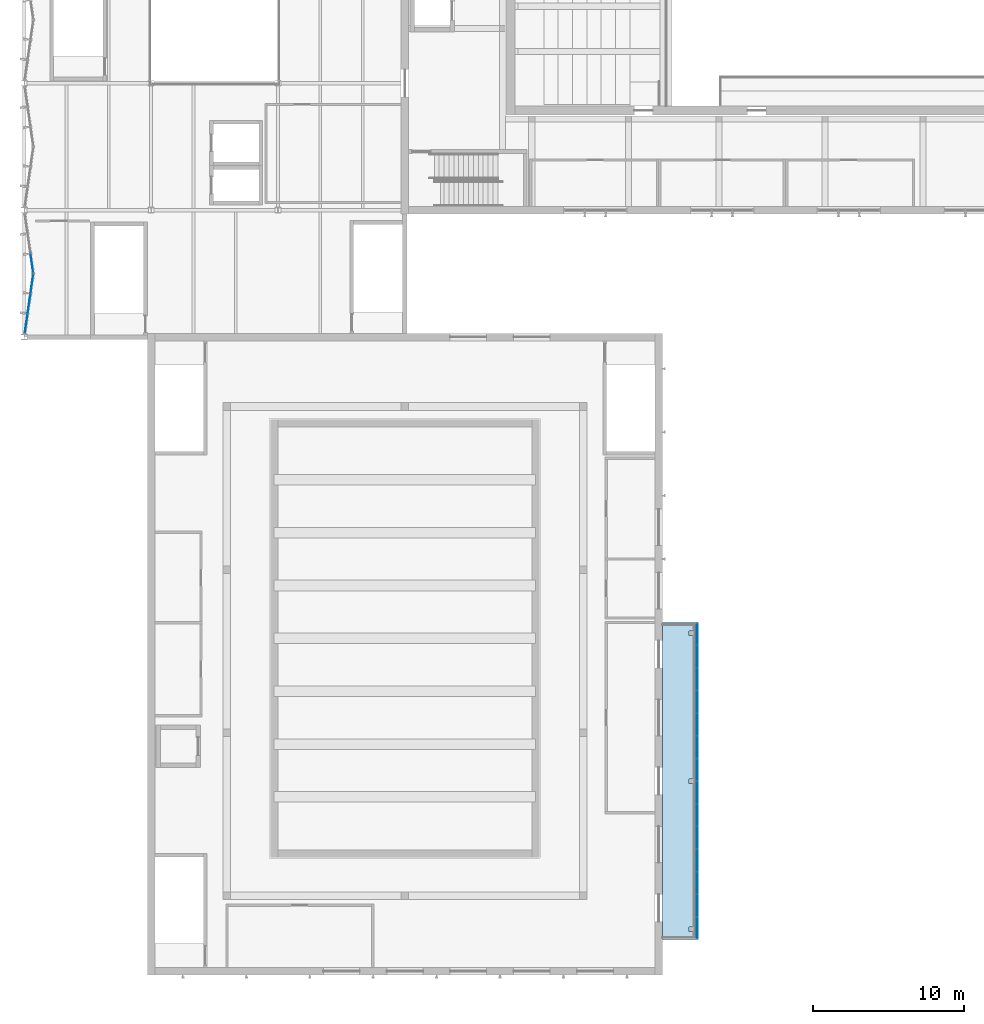
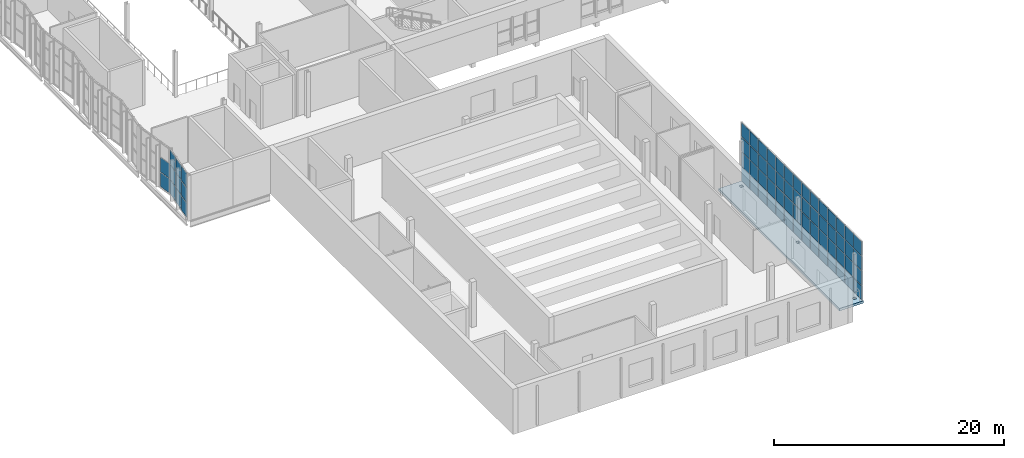
# One storey, part 56 of 116: 67 plates, 1 slab, 3 elements without a shape of their own.
"""IFC4 building model written with IfcOpenShell, lengths in metres."""

import ifcopenshell
import ifcopenshell.guid

model = None  # the IFC model being written
_history = None  # IfcOwnerHistory: only IFC2X3 demands one
_inside = {}  # id of a spatial element -> (the spatial element, [elements in it])
_under = {}  # id of a project, library or spatial element -> (it, [spatial elements below it])
_declared = {}  # id of a project -> (the project, [libraries it declares])
_typed = {}  # id of a type object -> (the type object, [elements of that type])
_made_of = {}  # id of a material, layer set ... -> (it, [elements and type objects made of it])


def new_model(schema):
    """Start an empty IFC model of exactly this schema.

    Asked for "IFC4X3", IfcOpenShell would pick the latest addendum, in which some entities
    have other attributes; the version numbers below select the first issue.
    IFC2X3 requires an IfcOwnerHistory on every rooted entity: one is made here for all.
    """
    global model, _history
    if schema == "IFC4X3":
        model = ifcopenshell.file(schema_version=(4, 3, 0, 0))
    else:
        model = ifcopenshell.file(schema=schema)
    _inside.clear()
    _under.clear()
    _declared.clear()
    _typed.clear()
    _made_of.clear()
    _history = None
    if model.schema == "IFC2X3":
        org = make("IfcOrganization", Name="unknown")
        user = make(
            "IfcPersonAndOrganization",
            ThePerson=make("IfcPerson", FamilyName="unknown"),
            TheOrganization=org,
        )
        app = make(
            "IfcApplication",
            ApplicationDeveloper=org,
            Version="unknown",
            ApplicationFullName="unknown",
            ApplicationIdentifier="unknown",
        )
        _history = make(
            "IfcOwnerHistory",
            OwningUser=user,
            OwningApplication=app,
            ChangeAction="ADDED",
            CreationDate=0,
        )
    return model


def make(cls, **values):
    """One entity of the class cls with the attributes given. An attribute that is None is left unset."""
    return model.create_entity(
        cls, **{name: value for name, value in values.items() if value is not None}
    )


def rooted(cls, **values):
    """An entity with a GlobalId (a new one), such as an element, a storey or a relation."""
    return make(cls, GlobalId=ifcopenshell.guid.new(), OwnerHistory=_history, **values)


def si_unit(unit_type, name, prefix=None):
    """IfcSIUnit, for example si_unit("LENGTHUNIT", "METRE", prefix="MILLI")."""
    return make("IfcSIUnit", UnitType=unit_type, Prefix=prefix, Name=name)


def assignment(units):
    """IfcUnitAssignment: the units of a project."""
    return None if units is None else make("IfcUnitAssignment", Units=units)


def point(xyz):
    """IfcCartesianPoint."""
    return None if xyz is None else make("IfcCartesianPoint", Coordinates=xyz)


def direction(xyz):
    """IfcDirection."""
    return None if xyz is None else make("IfcDirection", DirectionRatios=xyz)


def frame(location, z_axis=None, x_axis=None):
    """IfcAxis2Placement3D, a coordinate frame: its origin and axes. An axis left out is left unset."""
    return make(
        "IfcAxis2Placement3D",
        Location=point(location),
        Axis=direction(z_axis),
        RefDirection=direction(x_axis),
    )


def frame_2d(location, x_axis=None):
    """IfcAxis2Placement2D, a coordinate frame in the plane: its origin and x axis."""
    return make(
        "IfcAxis2Placement2D", Location=point(location), RefDirection=direction(x_axis)
    )


def origin():
    """The frame at (0, 0, 0) with its axes left unset."""
    return frame((0.0, 0.0, 0.0))


def origin_2d():
    """The frame at (0, 0) in the plane with its x axis left unset."""
    return frame_2d((0.0, 0.0))


def place(relative_to, where):
    """IfcLocalPlacement: puts the frame where relative to a parent placement (None: the world)."""
    return make(
        "IfcLocalPlacement", PlacementRelTo=relative_to, RelativePlacement=where
    )


def context(
    kind, dimensions, precision=None, world=None, true_north=None, identifier=None
):
    """IfcGeometricRepresentationContext, for example the 3D "Model" context."""
    return make(
        "IfcGeometricRepresentationContext",
        ContextIdentifier=identifier,
        ContextType=kind,
        CoordinateSpaceDimension=dimensions,
        Precision=precision,
        WorldCoordinateSystem=world,
        TrueNorth=true_north,
    )


def subcontext(parent, identifier, kind, view, scale=None):
    """IfcGeometricRepresentationSubContext, for example "Body" below "Model"."""
    return make(
        "IfcGeometricRepresentationSubContext",
        ContextIdentifier=identifier,
        ContextType=kind,
        ParentContext=parent,
        TargetScale=scale,
        TargetView=view,
    )


def project(units=None, contexts=None):
    """IfcProject with its units and contexts."""
    return rooted(
        "IfcProject",
        Name="project",
        RepresentationContexts=contexts,
        UnitsInContext=assignment(units),
    )


def spatial(cls, under=None, at=None, **own):
    """A site, building, storey or space (cls), placed at a placement, below another one or the project."""
    s = rooted(cls, ObjectPlacement=at, **own)
    if under is not None:
        _under.setdefault(under.id(), (under, []))[1].append(s)
    return s


def polyline(points):
    """IfcPolyline through the points."""
    return make("IfcPolyline", Points=[point(p) for p in points])


def profile(cls, at=None, kind="AREA", **sizes):
    """A parametric profile (cls). Its sizes go by their IFC names, for example OverallWidth=200.0."""
    return make(cls, ProfileType=kind, Position=at, **sizes)


def rectangle(**sizes):
    """IfcRectangleProfileDef."""
    return profile("IfcRectangleProfileDef", **sizes)


def outline(outer, holes=None, kind="AREA"):
    """IfcArbitraryClosedProfileDef: a profile drawn as a closed curve; with holes, ...WithVoids."""
    if holes is None:
        return make("IfcArbitraryClosedProfileDef", ProfileType=kind, OuterCurve=outer)
    return make(
        "IfcArbitraryProfileDefWithVoids",
        ProfileType=kind,
        OuterCurve=outer,
        InnerCurves=holes,
    )


def extrude(swept, where, along, depth):
    """IfcExtrudedAreaSolid: the profile swept, set in the frame where, extruded along a direction by depth."""
    return make(
        "IfcExtrudedAreaSolid",
        SweptArea=swept,
        Position=where,
        ExtrudedDirection=direction(along),
        Depth=depth,
    )


def shape(context_of_items, identifier, shape_type, items):
    """IfcShapeRepresentation: the items that make up one representation, for example the "Body"."""
    return make(
        "IfcShapeRepresentation",
        ContextOfItems=context_of_items,
        RepresentationIdentifier=identifier,
        RepresentationType=shape_type,
        Items=items,
    )


def material(Name=None, Category=None):
    """IfcMaterial."""
    return make("IfcMaterial", Name=Name, Category=Category)


def layer(
    of_material, thickness, ventilated=None, Name=None, Category=None, Priority=None
):
    """IfcMaterialLayer: one layer of a wall or slab, of a material (None: an air gap)."""
    return make(
        "IfcMaterialLayer",
        Material=of_material,
        LayerThickness=thickness,
        IsVentilated=ventilated,
        Name=Name,
        Category=Category,
        Priority=Priority,
    )


def layer_set(layers, Name=None):
    """IfcMaterialLayerSet."""
    return make("IfcMaterialLayerSet", MaterialLayers=layers, LayerSetName=Name)


def made_of(thing, what):
    """Note that an element or type object is made of a material, layer set ...; save() writes the relation."""
    if what is not None:
        _made_of.setdefault(what.id(), (what, []))[1].append(thing)
    return thing


def type_object(cls, material=None, **own):
    """A type object (cls), such as IfcWallType, which elements share."""
    return made_of(rooted(cls, **own), material)


def element(
    cls,
    number,
    at=None,
    inside=None,
    cuts=None,
    type_object=None,
    material=None,
    context=None,
    identifier="Body",
    shape_type=None,
    held_by="IfcProductDefinitionShape",
    body=None,
    shapes=None,
    **own,
):
    """One element of the class cls, such as IfcWall. Its Tag is "e" and its number.

    at: its placement. inside: the storey or other place that contains it. cuts: it is an
    opening in that element (IfcRelVoidsElement). A single representation is given by context,
    identifier, shape_type and body (its items); several are given by shapes. held_by: the class
    of the entity that holds the representations. save() writes the other relations.
    """
    e = rooted(cls, Tag="e%d" % number, ObjectPlacement=at, **own)
    if body is not None:
        shapes = [shape(context, identifier, shape_type, body)]
    if shapes is not None:
        e.Representation = make(held_by, Representations=shapes)
    if inside is not None:
        _inside.setdefault(inside.id(), (inside, []))[1].append(e)
    if cuts is not None:
        rooted(
            "IfcRelVoidsElement", RelatingBuildingElement=cuts, RelatedOpeningElement=e
        )
    if type_object is not None:
        _typed.setdefault(type_object.id(), (type_object, []))[1].append(e)
    return made_of(e, material)


def aggregate(whole, parts):
    """IfcRelAggregates: a whole, such as a stair, and the parts it consists of."""
    return rooted("IfcRelAggregates", RelatingObject=whole, RelatedObjects=parts)


def save(model, path):
    """Write the relations noted so far, then the file.

    IfcRelAggregates (storeys below a building ...), IfcRelContainedInSpatialStructure (elements
    in a storey), IfcRelDefinesByType, IfcRelAssociatesMaterial and IfcRelDeclares: one each for
    every whole, place, type object, material and project.
    """
    for whole, parts in _under.values():
        aggregate(whole, parts)
    for where, things in _inside.values():
        rooted(
            "IfcRelContainedInSpatialStructure",
            RelatedElements=things,
            RelatingStructure=where,
        )
    for kind, things in _typed.values():
        rooted("IfcRelDefinesByType", RelatedObjects=things, RelatingType=kind)
    for what, things in _made_of.values():
        rooted("IfcRelAssociatesMaterial", RelatedObjects=things, RelatingMaterial=what)
    for by, libraries in _declared.values():
        rooted("IfcRelDeclares", RelatingContext=by, RelatedDefinitions=libraries)
    model.write(path)


model = new_model("IFC4")

# Units and contexts
model_context = context("Model", 3, precision=1e-05, world=origin(), true_north=direction((0.0, 1.0)))
body_context = subcontext(model_context, "Body", "Model", "MODEL_VIEW")
ifc_project = project(units=[si_unit("LENGTHUNIT", "METRE"), si_unit("AREAUNIT", "SQUARE_METRE"), si_unit("VOLUMEUNIT", "CUBIC_METRE"), si_unit("PLANEANGLEUNIT", "RADIAN"), si_unit("MASSUNIT", "GRAM", prefix="KILO")], contexts=[model_context])

# Site, building, storey
site_placement = place(None, origin())
site = spatial("IfcSite", under=ifc_project, at=site_placement, CompositionType="ELEMENT")
building_placement = place(site_placement, origin())
building = spatial("IfcBuilding", under=site, at=building_placement, Name="Ljudholm Concert House", CompositionType="ELEMENT")
storey_placement = place(building_placement, frame((0.0, 0.0, 10.199951171875)))
storey = spatial("IfcBuildingStorey", under=building, at=storey_placement, Name="L02", CompositionType="ELEMENT", Elevation=10.199951171875)

# Curtain wall, plates
ifc_material_1 = material(Name="Aluminium curtain wall with impact-rated laminated glass", Category="aluminium")
curtain_wall_type_1 = type_object("IfcCurtainWallType", Name="CURTAIN WALL 1400", PredefinedType="NOTDEFINED", material=ifc_material_1)
curtain_wall_1_placement = place(storey_placement, origin())
curtain_wall_1 = element("IfcCurtainWall", 1, at=curtain_wall_1_placement, inside=storey, type_object=curtain_wall_type_1, Name="Facade curtain wall", PredefinedType="NOTDEFINED")
ifc_material_2 = material(Name="Impact-rated laminated glass", Category="glass")
ifc_layer_1 = layer(ifc_material_2, 0.028076171875)
ifc_layer_set_1 = layer_set([ifc_layer_1], Name="Impact-rated laminated glass")
plate_type_1 = type_object("IfcPlateType", Name="CURTAIN PANEL 28", PredefinedType="CURTAIN_PANEL", material=ifc_layer_set_1)
plate_1_placement = place(storey_placement, frame((4.1279296875, 46.896240234375, 0.06005859375), z_axis=(0.0, 0.0, 1.0), x_axis=(0.141421356338, 0.989949493647, 0.0)))
plate_1 = element("IfcPlate", 2, at=plate_1_placement, type_object=plate_type_1, Name="Curtain wall panel", PredefinedType="CURTAIN_PANEL", context=body_context, shape_type="SweptSolid", body=[
    extrude(rectangle(XDim=1.2509765625, YDim=0.028076171875, at=origin_2d()), origin(), (0.0, 0.0, 1.0), 1.510009765625),
])
plate_2_placement = place(storey_placement, frame((4.1279296875, 46.896240234375, 1.630126953125), z_axis=(0.0, 0.0, 1.0), x_axis=(0.141421356338, 0.989949493647, 0.0)))
plate_2 = element("IfcPlate", 3, at=plate_2_placement, type_object=plate_type_1, Name="Curtain wall panel", PredefinedType="CURTAIN_PANEL", context=body_context, shape_type="SweptSolid", body=[
    extrude(rectangle(XDim=1.2509765625, YDim=0.028076171875, at=origin_2d()), origin(), (0.0, 0.0, 1.0), 1.5400390625),
])
plate_3_placement = place(storey_placement, frame((4.1279296875, 46.896240234375, 3.22998046875), z_axis=(0.0, 0.0, 1.0), x_axis=(0.141421356338, 0.989949493647, 0.0)))
plate_3 = element("IfcPlate", 4, at=plate_3_placement, type_object=plate_type_1, Name="Curtain wall panel", PredefinedType="CURTAIN_PANEL", context=body_context, shape_type="SweptSolid", body=[
    extrude(rectangle(XDim=1.2509765625, YDim=0.028076171875, at=origin_2d()), origin(), (0.0, 0.0, 1.0), 1.510009765625),
])
plate_4_placement = place(storey_placement, frame((4.315673828125, 48.208984375, 0.06005859375), z_axis=(0.0, 0.0, 1.0), x_axis=(0.141421356338, 0.989949493647, 0.0)))
plate_4 = element("IfcPlate", 5, at=plate_4_placement, type_object=plate_type_1, Name="Curtain wall panel", PredefinedType="CURTAIN_PANEL", context=body_context, shape_type="SweptSolid", body=[
    extrude(rectangle(XDim=1.28076171875, YDim=0.028076171875, at=origin_2d()), origin(), (0.0, 0.0, 1.0), 1.510009765625),
])
plate_5_placement = place(storey_placement, frame((4.315673828125, 48.208984375, 1.630126953125), z_axis=(0.0, 0.0, 1.0), x_axis=(0.141421356338, 0.989949493647, 0.0)))
plate_5 = element("IfcPlate", 6, at=plate_5_placement, type_object=plate_type_1, Name="Curtain wall panel", PredefinedType="CURTAIN_PANEL", context=body_context, shape_type="SweptSolid", body=[
    extrude(rectangle(XDim=1.28076171875, YDim=0.028076171875, at=origin_2d()), origin(), (0.0, 0.0, 1.0), 1.5400390625),
])
plate_6_placement = place(storey_placement, frame((4.315673828125, 48.208984375, 3.22998046875), z_axis=(0.0, 0.0, 1.0), x_axis=(0.141421356338, 0.989949493647, 0.0)))
plate_6 = element("IfcPlate", 7, at=plate_6_placement, type_object=plate_type_1, Name="Curtain wall panel", PredefinedType="CURTAIN_PANEL", context=body_context, shape_type="SweptSolid", body=[
    extrude(rectangle(XDim=1.28076171875, YDim=0.028076171875, at=origin_2d()), origin(), (0.0, 0.0, 1.0), 1.510009765625),
])
plate_7_placement = place(storey_placement, frame((4.503173828125, 49.521484375, 0.06005859375), z_axis=(0.0, 0.0, 1.0), x_axis=(0.141421356338, 0.989949493647, 0.0)))
plate_7 = element("IfcPlate", 8, at=plate_7_placement, type_object=plate_type_1, Name="Curtain wall panel", PredefinedType="CURTAIN_PANEL", context=body_context, shape_type="SweptSolid", body=[
    extrude(rectangle(XDim=1.2509765625, YDim=0.028076171875, at=origin_2d()), origin(), (0.0, 0.0, 1.0), 1.510009765625),
])
plate_8_placement = place(storey_placement, frame((4.503173828125, 49.521484375, 1.630126953125), z_axis=(0.0, 0.0, 1.0), x_axis=(0.141421356338, 0.989949493647, 0.0)))
plate_8 = element("IfcPlate", 9, at=plate_8_placement, type_object=plate_type_1, Name="Curtain wall panel", PredefinedType="CURTAIN_PANEL", context=body_context, shape_type="SweptSolid", body=[
    extrude(rectangle(XDim=1.2509765625, YDim=0.028076171875, at=origin_2d()), origin(), (0.0, 0.0, 1.0), 1.5400390625),
])
plate_9_placement = place(storey_placement, frame((4.503173828125, 49.521484375, 3.22998046875), z_axis=(0.0, 0.0, 1.0), x_axis=(0.141421356338, 0.989949493647, 0.0)))
plate_9 = element("IfcPlate", 10, at=plate_9_placement, type_object=plate_type_1, Name="Curtain wall panel", PredefinedType="CURTAIN_PANEL", context=body_context, shape_type="SweptSolid", body=[
    extrude(rectangle(XDim=1.2509765625, YDim=0.028076171875, at=origin_2d()), origin(), (0.0, 0.0, 1.0), 1.510009765625),
])
aggregate(curtain_wall_1, [plate_1, plate_2, plate_3, plate_4, plate_5, plate_6, plate_7, plate_8, plate_9])

curtain_wall_2_placement = place(storey_placement, origin())
curtain_wall_2 = element("IfcCurtainWall", 11, at=curtain_wall_2_placement, inside=storey, type_object=curtain_wall_type_1, Name="Facade curtain wall", PredefinedType="NOTDEFINED")
plate_10_placement = place(storey_placement, frame((4.503173828125, 50.878662109375, 0.06005859375), z_axis=(0.0, 0.0, 1.0), x_axis=(-0.141421356338, 0.989949493647, 0.0)))
plate_10 = element("IfcPlate", 12, at=plate_10_placement, type_object=plate_type_1, Name="Curtain wall panel", PredefinedType="CURTAIN_PANEL", context=body_context, shape_type="SweptSolid", body=[
    extrude(rectangle(XDim=1.2509765625, YDim=0.028076171875, at=origin_2d()), origin(), (0.0, 0.0, 1.0), 1.510009765625),
])
plate_11_placement = place(storey_placement, frame((4.503173828125, 50.878662109375, 1.630126953125), z_axis=(0.0, 0.0, 1.0), x_axis=(-0.141421356338, 0.989949493647, 0.0)))
plate_11 = element("IfcPlate", 13, at=plate_11_placement, type_object=plate_type_1, Name="Curtain wall panel", PredefinedType="CURTAIN_PANEL", context=body_context, shape_type="SweptSolid", body=[
    extrude(rectangle(XDim=1.2509765625, YDim=0.028076171875, at=origin_2d()), origin(), (0.0, 0.0, 1.0), 1.5400390625),
])
aggregate(curtain_wall_2, [plate_10, plate_11])

ifc_material_3 = material(Name="Aluminium curtain wall with fixed aluminium storm louvre blades, timber-grain pvdf finish", Category="aluminium")
curtain_wall_type_2 = type_object("IfcCurtainWallType", Name="CURTAIN WALL 1500", PredefinedType="NOTDEFINED", material=ifc_material_3)
curtain_wall_3_placement = place(storey_placement, origin())
curtain_wall_3 = element("IfcCurtainWall", 14, at=curtain_wall_3_placement, inside=storey, type_object=curtain_wall_type_2, Name="Storm louvre screen", PredefinedType="NOTDEFINED")
ifc_material_4 = material(Name="Fixed aluminium storm louvre blades, timber-grain PVDF finish", Category="aluminium")
ifc_layer_2 = layer(ifc_material_4, 0.06005859375)
ifc_layer_set_2 = layer_set([ifc_layer_2], Name="Fixed aluminium storm louvre blades, timber-grain PVDF finish")
plate_type_2 = type_object("IfcPlateType", Name="CURTAIN PANEL 60", PredefinedType="CURTAIN_PANEL", material=ifc_layer_set_2)
plate_12_placement = place(storey_placement, frame((48.550048828125, 6.8701171875, 0.080078125), z_axis=(0.0, 0.0, 1.0), x_axis=(0.0, 1.0, 0.0)))
plate_12 = element("IfcPlate", 15, at=plate_12_placement, type_object=plate_type_2, Name="Curtain wall panel", PredefinedType="CURTAIN_PANEL", context=body_context, shape_type="SweptSolid", body=[
    extrude(rectangle(XDim=1.3798828125, YDim=0.06005859375, at=origin_2d()), origin(), (0.0, 0.0, 1.0), 1.454833984375),
])
plate_13_placement = place(storey_placement, frame((48.550048828125, 6.8701171875, 1.61474609375), z_axis=(0.0, 0.0, 1.0), x_axis=(0.0, 1.0, 0.0)))
plate_13 = element("IfcPlate", 16, at=plate_13_placement, type_object=plate_type_2, Name="Curtain wall panel", PredefinedType="CURTAIN_PANEL", context=body_context, shape_type="SweptSolid", body=[
    extrude(rectangle(XDim=1.3798828125, YDim=0.06005859375, at=origin_2d()), origin(), (0.0, 0.0, 1.0), 1.494873046875),
])
plate_14_placement = place(storey_placement, frame((48.550048828125, 6.8701171875, 3.189453125), z_axis=(0.0, 0.0, 1.0), x_axis=(0.0, 1.0, 0.0)))
plate_14 = element("IfcPlate", 17, at=plate_14_placement, type_object=plate_type_2, Name="Curtain wall panel", PredefinedType="CURTAIN_PANEL", context=body_context, shape_type="SweptSolid", body=[
    extrude(rectangle(XDim=1.3798828125, YDim=0.06005859375, at=origin_2d()), origin(), (0.0, 0.0, 1.0), 1.494873046875),
])
plate_15_placement = place(storey_placement, frame((48.550048828125, 6.8701171875, 4.7646484375), z_axis=(0.0, 0.0, 1.0), x_axis=(0.0, 1.0, 0.0)))
plate_15 = element("IfcPlate", 18, at=plate_15_placement, type_object=plate_type_2, Name="Curtain wall panel", PredefinedType="CURTAIN_PANEL", context=body_context, shape_type="SweptSolid", body=[
    extrude(rectangle(XDim=1.3798828125, YDim=0.06005859375, at=origin_2d()), origin(), (0.0, 0.0, 1.0), 1.454833984375),
])
plate_16_placement = place(storey_placement, frame((48.550048828125, 8.35009765625, 0.080078125), z_axis=(0.0, 0.0, 1.0), x_axis=(0.0, 1.0, 0.0)))
plate_16 = element("IfcPlate", 19, at=plate_16_placement, type_object=plate_type_2, Name="Curtain wall panel", PredefinedType="CURTAIN_PANEL", context=body_context, shape_type="SweptSolid", body=[
    extrude(rectangle(XDim=1.419921875, YDim=0.06005859375, at=origin_2d()), origin(), (0.0, 0.0, 1.0), 1.454833984375),
])
plate_17_placement = place(storey_placement, frame((48.550048828125, 8.35009765625, 1.61474609375), z_axis=(0.0, 0.0, 1.0), x_axis=(0.0, 1.0, 0.0)))
plate_17 = element("IfcPlate", 20, at=plate_17_placement, type_object=plate_type_2, Name="Curtain wall panel", PredefinedType="CURTAIN_PANEL", context=body_context, shape_type="SweptSolid", body=[
    extrude(rectangle(XDim=1.419921875, YDim=0.06005859375, at=origin_2d()), origin(), (0.0, 0.0, 1.0), 1.494873046875),
])
plate_18_placement = place(storey_placement, frame((48.550048828125, 8.35009765625, 3.189453125), z_axis=(0.0, 0.0, 1.0), x_axis=(0.0, 1.0, 0.0)))
plate_18 = element("IfcPlate", 21, at=plate_18_placement, type_object=plate_type_2, Name="Curtain wall panel", PredefinedType="CURTAIN_PANEL", context=body_context, shape_type="SweptSolid", body=[
    extrude(rectangle(XDim=1.419921875, YDim=0.06005859375, at=origin_2d()), origin(), (0.0, 0.0, 1.0), 1.494873046875),
])
plate_19_placement = place(storey_placement, frame((48.550048828125, 8.35009765625, 4.7646484375), z_axis=(0.0, 0.0, 1.0), x_axis=(0.0, 1.0, 0.0)))
plate_19 = element("IfcPlate", 22, at=plate_19_placement, type_object=plate_type_2, Name="Curtain wall panel", PredefinedType="CURTAIN_PANEL", context=body_context, shape_type="SweptSolid", body=[
    extrude(rectangle(XDim=1.419921875, YDim=0.06005859375, at=origin_2d()), origin(), (0.0, 0.0, 1.0), 1.454833984375),
])
plate_20_placement = place(storey_placement, frame((48.550048828125, 9.85009765625, 0.080078125), z_axis=(0.0, 0.0, 1.0), x_axis=(0.0, 1.0, 0.0)))
plate_20 = element("IfcPlate", 23, at=plate_20_placement, type_object=plate_type_2, Name="Curtain wall panel", PredefinedType="CURTAIN_PANEL", context=body_context, shape_type="SweptSolid", body=[
    extrude(rectangle(XDim=1.419921875, YDim=0.06005859375, at=origin_2d()), origin(), (0.0, 0.0, 1.0), 1.454833984375),
])
plate_21_placement = place(storey_placement, frame((48.550048828125, 9.85009765625, 1.61474609375), z_axis=(0.0, 0.0, 1.0), x_axis=(0.0, 1.0, 0.0)))
plate_21 = element("IfcPlate", 24, at=plate_21_placement, type_object=plate_type_2, Name="Curtain wall panel", PredefinedType="CURTAIN_PANEL", context=body_context, shape_type="SweptSolid", body=[
    extrude(rectangle(XDim=1.419921875, YDim=0.06005859375, at=origin_2d()), origin(), (0.0, 0.0, 1.0), 1.494873046875),
])
plate_22_placement = place(storey_placement, frame((48.550048828125, 9.85009765625, 3.189453125), z_axis=(0.0, 0.0, 1.0), x_axis=(0.0, 1.0, 0.0)))
plate_22 = element("IfcPlate", 25, at=plate_22_placement, type_object=plate_type_2, Name="Curtain wall panel", PredefinedType="CURTAIN_PANEL", context=body_context, shape_type="SweptSolid", body=[
    extrude(rectangle(XDim=1.419921875, YDim=0.06005859375, at=origin_2d()), origin(), (0.0, 0.0, 1.0), 1.494873046875),
])
plate_23_placement = place(storey_placement, frame((48.550048828125, 9.85009765625, 4.7646484375), z_axis=(0.0, 0.0, 1.0), x_axis=(0.0, 1.0, 0.0)))
plate_23 = element("IfcPlate", 26, at=plate_23_placement, type_object=plate_type_2, Name="Curtain wall panel", PredefinedType="CURTAIN_PANEL", context=body_context, shape_type="SweptSolid", body=[
    extrude(rectangle(XDim=1.419921875, YDim=0.06005859375, at=origin_2d()), origin(), (0.0, 0.0, 1.0), 1.454833984375),
])
plate_24_placement = place(storey_placement, frame((48.550048828125, 11.35009765625, 0.080078125), z_axis=(0.0, 0.0, 1.0), x_axis=(0.0, 1.0, 0.0)))
plate_24 = element("IfcPlate", 27, at=plate_24_placement, type_object=plate_type_2, Name="Curtain wall panel", PredefinedType="CURTAIN_PANEL", context=body_context, shape_type="SweptSolid", body=[
    extrude(rectangle(XDim=1.419921875, YDim=0.06005859375, at=origin_2d()), origin(), (0.0, 0.0, 1.0), 1.454833984375),
])
plate_25_placement = place(storey_placement, frame((48.550048828125, 11.35009765625, 1.61474609375), z_axis=(0.0, 0.0, 1.0), x_axis=(0.0, 1.0, 0.0)))
plate_25 = element("IfcPlate", 28, at=plate_25_placement, type_object=plate_type_2, Name="Curtain wall panel", PredefinedType="CURTAIN_PANEL", context=body_context, shape_type="SweptSolid", body=[
    extrude(rectangle(XDim=1.419921875, YDim=0.06005859375, at=origin_2d()), origin(), (0.0, 0.0, 1.0), 1.494873046875),
])
plate_26_placement = place(storey_placement, frame((48.550048828125, 11.35009765625, 3.189453125), z_axis=(0.0, 0.0, 1.0), x_axis=(0.0, 1.0, 0.0)))
plate_26 = element("IfcPlate", 29, at=plate_26_placement, type_object=plate_type_2, Name="Curtain wall panel", PredefinedType="CURTAIN_PANEL", context=body_context, shape_type="SweptSolid", body=[
    extrude(rectangle(XDim=1.419921875, YDim=0.06005859375, at=origin_2d()), origin(), (0.0, 0.0, 1.0), 1.494873046875),
])
plate_27_placement = place(storey_placement, frame((48.550048828125, 11.35009765625, 4.7646484375), z_axis=(0.0, 0.0, 1.0), x_axis=(0.0, 1.0, 0.0)))
plate_27 = element("IfcPlate", 30, at=plate_27_placement, type_object=plate_type_2, Name="Curtain wall panel", PredefinedType="CURTAIN_PANEL", context=body_context, shape_type="SweptSolid", body=[
    extrude(rectangle(XDim=1.419921875, YDim=0.06005859375, at=origin_2d()), origin(), (0.0, 0.0, 1.0), 1.454833984375),
])
plate_28_placement = place(storey_placement, frame((48.550048828125, 12.85009765625, 0.080078125), z_axis=(0.0, 0.0, 1.0), x_axis=(0.0, 1.0, 0.0)))
plate_28 = element("IfcPlate", 31, at=plate_28_placement, type_object=plate_type_2, Name="Curtain wall panel", PredefinedType="CURTAIN_PANEL", context=body_context, shape_type="SweptSolid", body=[
    extrude(rectangle(XDim=1.419921875, YDim=0.06005859375, at=origin_2d()), origin(), (0.0, 0.0, 1.0), 1.454833984375),
])
plate_29_placement = place(storey_placement, frame((48.550048828125, 12.85009765625, 1.61474609375), z_axis=(0.0, 0.0, 1.0), x_axis=(0.0, 1.0, 0.0)))
plate_29 = element("IfcPlate", 32, at=plate_29_placement, type_object=plate_type_2, Name="Curtain wall panel", PredefinedType="CURTAIN_PANEL", context=body_context, shape_type="SweptSolid", body=[
    extrude(rectangle(XDim=1.419921875, YDim=0.06005859375, at=origin_2d()), origin(), (0.0, 0.0, 1.0), 1.494873046875),
])
plate_30_placement = place(storey_placement, frame((48.550048828125, 12.85009765625, 3.189453125), z_axis=(0.0, 0.0, 1.0), x_axis=(0.0, 1.0, 0.0)))
plate_30 = element("IfcPlate", 33, at=plate_30_placement, type_object=plate_type_2, Name="Curtain wall panel", PredefinedType="CURTAIN_PANEL", context=body_context, shape_type="SweptSolid", body=[
    extrude(rectangle(XDim=1.419921875, YDim=0.06005859375, at=origin_2d()), origin(), (0.0, 0.0, 1.0), 1.494873046875),
])
plate_31_placement = place(storey_placement, frame((48.550048828125, 12.85009765625, 4.7646484375), z_axis=(0.0, 0.0, 1.0), x_axis=(0.0, 1.0, 0.0)))
plate_31 = element("IfcPlate", 34, at=plate_31_placement, type_object=plate_type_2, Name="Curtain wall panel", PredefinedType="CURTAIN_PANEL", context=body_context, shape_type="SweptSolid", body=[
    extrude(rectangle(XDim=1.419921875, YDim=0.06005859375, at=origin_2d()), origin(), (0.0, 0.0, 1.0), 1.454833984375),
])
plate_32_placement = place(storey_placement, frame((48.550048828125, 14.35009765625, 0.080078125), z_axis=(0.0, 0.0, 1.0), x_axis=(0.0, 1.0, 0.0)))
plate_32 = element("IfcPlate", 35, at=plate_32_placement, type_object=plate_type_2, Name="Curtain wall panel", PredefinedType="CURTAIN_PANEL", context=body_context, shape_type="SweptSolid", body=[
    extrude(rectangle(XDim=1.419921875, YDim=0.06005859375, at=origin_2d()), origin(), (0.0, 0.0, 1.0), 1.454833984375),
])
plate_33_placement = place(storey_placement, frame((48.550048828125, 14.35009765625, 1.61474609375), z_axis=(0.0, 0.0, 1.0), x_axis=(0.0, 1.0, 0.0)))
plate_33 = element("IfcPlate", 36, at=plate_33_placement, type_object=plate_type_2, Name="Curtain wall panel", PredefinedType="CURTAIN_PANEL", context=body_context, shape_type="SweptSolid", body=[
    extrude(rectangle(XDim=1.419921875, YDim=0.06005859375, at=origin_2d()), origin(), (0.0, 0.0, 1.0), 1.494873046875),
])
plate_34_placement = place(storey_placement, frame((48.550048828125, 14.35009765625, 3.189453125), z_axis=(0.0, 0.0, 1.0), x_axis=(0.0, 1.0, 0.0)))
plate_34 = element("IfcPlate", 37, at=plate_34_placement, type_object=plate_type_2, Name="Curtain wall panel", PredefinedType="CURTAIN_PANEL", context=body_context, shape_type="SweptSolid", body=[
    extrude(rectangle(XDim=1.419921875, YDim=0.06005859375, at=origin_2d()), origin(), (0.0, 0.0, 1.0), 1.494873046875),
])
plate_35_placement = place(storey_placement, frame((48.550048828125, 14.35009765625, 4.7646484375), z_axis=(0.0, 0.0, 1.0), x_axis=(0.0, 1.0, 0.0)))
plate_35 = element("IfcPlate", 38, at=plate_35_placement, type_object=plate_type_2, Name="Curtain wall panel", PredefinedType="CURTAIN_PANEL", context=body_context, shape_type="SweptSolid", body=[
    extrude(rectangle(XDim=1.419921875, YDim=0.06005859375, at=origin_2d()), origin(), (0.0, 0.0, 1.0), 1.454833984375),
])
plate_36_placement = place(storey_placement, frame((48.550048828125, 15.85009765625, 0.080078125), z_axis=(0.0, 0.0, 1.0), x_axis=(0.0, 1.0, 0.0)))
plate_36 = element("IfcPlate", 39, at=plate_36_placement, type_object=plate_type_2, Name="Curtain wall panel", PredefinedType="CURTAIN_PANEL", context=body_context, shape_type="SweptSolid", body=[
    extrude(rectangle(XDim=1.419921875, YDim=0.06005859375, at=origin_2d()), origin(), (0.0, 0.0, 1.0), 1.454833984375),
])
plate_37_placement = place(storey_placement, frame((48.550048828125, 15.85009765625, 1.61474609375), z_axis=(0.0, 0.0, 1.0), x_axis=(0.0, 1.0, 0.0)))
plate_37 = element("IfcPlate", 40, at=plate_37_placement, type_object=plate_type_2, Name="Curtain wall panel", PredefinedType="CURTAIN_PANEL", context=body_context, shape_type="SweptSolid", body=[
    extrude(rectangle(XDim=1.419921875, YDim=0.06005859375, at=origin_2d()), origin(), (0.0, 0.0, 1.0), 1.494873046875),
])
plate_38_placement = place(storey_placement, frame((48.550048828125, 15.85009765625, 3.189453125), z_axis=(0.0, 0.0, 1.0), x_axis=(0.0, 1.0, 0.0)))
plate_38 = element("IfcPlate", 41, at=plate_38_placement, type_object=plate_type_2, Name="Curtain wall panel", PredefinedType="CURTAIN_PANEL", context=body_context, shape_type="SweptSolid", body=[
    extrude(rectangle(XDim=1.419921875, YDim=0.06005859375, at=origin_2d()), origin(), (0.0, 0.0, 1.0), 1.494873046875),
])
plate_39_placement = place(storey_placement, frame((48.550048828125, 15.85009765625, 4.7646484375), z_axis=(0.0, 0.0, 1.0), x_axis=(0.0, 1.0, 0.0)))
plate_39 = element("IfcPlate", 42, at=plate_39_placement, type_object=plate_type_2, Name="Curtain wall panel", PredefinedType="CURTAIN_PANEL", context=body_context, shape_type="SweptSolid", body=[
    extrude(rectangle(XDim=1.419921875, YDim=0.06005859375, at=origin_2d()), origin(), (0.0, 0.0, 1.0), 1.454833984375),
])
plate_40_placement = place(storey_placement, frame((48.550048828125, 17.35009765625, 0.080078125), z_axis=(0.0, 0.0, 1.0), x_axis=(0.0, 1.0, 0.0)))
plate_40 = element("IfcPlate", 43, at=plate_40_placement, type_object=plate_type_2, Name="Curtain wall panel", PredefinedType="CURTAIN_PANEL", context=body_context, shape_type="SweptSolid", body=[
    extrude(rectangle(XDim=1.419921875, YDim=0.06005859375, at=origin_2d()), origin(), (0.0, 0.0, 1.0), 1.454833984375),
])
plate_41_placement = place(storey_placement, frame((48.550048828125, 17.35009765625, 1.61474609375), z_axis=(0.0, 0.0, 1.0), x_axis=(0.0, 1.0, 0.0)))
plate_41 = element("IfcPlate", 44, at=plate_41_placement, type_object=plate_type_2, Name="Curtain wall panel", PredefinedType="CURTAIN_PANEL", context=body_context, shape_type="SweptSolid", body=[
    extrude(rectangle(XDim=1.419921875, YDim=0.06005859375, at=origin_2d()), origin(), (0.0, 0.0, 1.0), 1.494873046875),
])
plate_42_placement = place(storey_placement, frame((48.550048828125, 17.35009765625, 3.189453125), z_axis=(0.0, 0.0, 1.0), x_axis=(0.0, 1.0, 0.0)))
plate_42 = element("IfcPlate", 45, at=plate_42_placement, type_object=plate_type_2, Name="Curtain wall panel", PredefinedType="CURTAIN_PANEL", context=body_context, shape_type="SweptSolid", body=[
    extrude(rectangle(XDim=1.419921875, YDim=0.06005859375, at=origin_2d()), origin(), (0.0, 0.0, 1.0), 1.494873046875),
])
plate_43_placement = place(storey_placement, frame((48.550048828125, 17.35009765625, 4.7646484375), z_axis=(0.0, 0.0, 1.0), x_axis=(0.0, 1.0, 0.0)))
plate_43 = element("IfcPlate", 46, at=plate_43_placement, type_object=plate_type_2, Name="Curtain wall panel", PredefinedType="CURTAIN_PANEL", context=body_context, shape_type="SweptSolid", body=[
    extrude(rectangle(XDim=1.419921875, YDim=0.06005859375, at=origin_2d()), origin(), (0.0, 0.0, 1.0), 1.454833984375),
])
plate_44_placement = place(storey_placement, frame((48.550048828125, 18.85009765625, 0.080078125), z_axis=(0.0, 0.0, 1.0), x_axis=(0.0, 1.0, 0.0)))
plate_44 = element("IfcPlate", 47, at=plate_44_placement, type_object=plate_type_2, Name="Curtain wall panel", PredefinedType="CURTAIN_PANEL", context=body_context, shape_type="SweptSolid", body=[
    extrude(rectangle(XDim=1.419921875, YDim=0.06005859375, at=origin_2d()), origin(), (0.0, 0.0, 1.0), 1.454833984375),
])
plate_45_placement = place(storey_placement, frame((48.550048828125, 18.85009765625, 1.61474609375), z_axis=(0.0, 0.0, 1.0), x_axis=(0.0, 1.0, 0.0)))
plate_45 = element("IfcPlate", 48, at=plate_45_placement, type_object=plate_type_2, Name="Curtain wall panel", PredefinedType="CURTAIN_PANEL", context=body_context, shape_type="SweptSolid", body=[
    extrude(rectangle(XDim=1.419921875, YDim=0.06005859375, at=origin_2d()), origin(), (0.0, 0.0, 1.0), 1.494873046875),
])
plate_46_placement = place(storey_placement, frame((48.550048828125, 18.85009765625, 3.189453125), z_axis=(0.0, 0.0, 1.0), x_axis=(0.0, 1.0, 0.0)))
plate_46 = element("IfcPlate", 49, at=plate_46_placement, type_object=plate_type_2, Name="Curtain wall panel", PredefinedType="CURTAIN_PANEL", context=body_context, shape_type="SweptSolid", body=[
    extrude(rectangle(XDim=1.419921875, YDim=0.06005859375, at=origin_2d()), origin(), (0.0, 0.0, 1.0), 1.494873046875),
])
plate_47_placement = place(storey_placement, frame((48.550048828125, 18.85009765625, 4.7646484375), z_axis=(0.0, 0.0, 1.0), x_axis=(0.0, 1.0, 0.0)))
plate_47 = element("IfcPlate", 50, at=plate_47_placement, type_object=plate_type_2, Name="Curtain wall panel", PredefinedType="CURTAIN_PANEL", context=body_context, shape_type="SweptSolid", body=[
    extrude(rectangle(XDim=1.419921875, YDim=0.06005859375, at=origin_2d()), origin(), (0.0, 0.0, 1.0), 1.454833984375),
])
plate_48_placement = place(storey_placement, frame((48.550048828125, 20.35009765625, 0.080078125), z_axis=(0.0, 0.0, 1.0), x_axis=(0.0, 1.0, 0.0)))
plate_48 = element("IfcPlate", 51, at=plate_48_placement, type_object=plate_type_2, Name="Curtain wall panel", PredefinedType="CURTAIN_PANEL", context=body_context, shape_type="SweptSolid", body=[
    extrude(rectangle(XDim=1.419921875, YDim=0.06005859375, at=origin_2d()), origin(), (0.0, 0.0, 1.0), 1.454833984375),
])
plate_49_placement = place(storey_placement, frame((48.550048828125, 20.35009765625, 1.61474609375), z_axis=(0.0, 0.0, 1.0), x_axis=(0.0, 1.0, 0.0)))
plate_49 = element("IfcPlate", 52, at=plate_49_placement, type_object=plate_type_2, Name="Curtain wall panel", PredefinedType="CURTAIN_PANEL", context=body_context, shape_type="SweptSolid", body=[
    extrude(rectangle(XDim=1.419921875, YDim=0.06005859375, at=origin_2d()), origin(), (0.0, 0.0, 1.0), 1.494873046875),
])
plate_50_placement = place(storey_placement, frame((48.550048828125, 20.35009765625, 3.189453125), z_axis=(0.0, 0.0, 1.0), x_axis=(0.0, 1.0, 0.0)))
plate_50 = element("IfcPlate", 53, at=plate_50_placement, type_object=plate_type_2, Name="Curtain wall panel", PredefinedType="CURTAIN_PANEL", context=body_context, shape_type="SweptSolid", body=[
    extrude(rectangle(XDim=1.419921875, YDim=0.06005859375, at=origin_2d()), origin(), (0.0, 0.0, 1.0), 1.494873046875),
])
plate_51_placement = place(storey_placement, frame((48.550048828125, 20.35009765625, 4.7646484375), z_axis=(0.0, 0.0, 1.0), x_axis=(0.0, 1.0, 0.0)))
plate_51 = element("IfcPlate", 54, at=plate_51_placement, type_object=plate_type_2, Name="Curtain wall panel", PredefinedType="CURTAIN_PANEL", context=body_context, shape_type="SweptSolid", body=[
    extrude(rectangle(XDim=1.419921875, YDim=0.06005859375, at=origin_2d()), origin(), (0.0, 0.0, 1.0), 1.454833984375),
])
plate_52_placement = place(storey_placement, frame((48.550048828125, 21.85009765625, 0.080078125), z_axis=(0.0, 0.0, 1.0), x_axis=(0.0, 1.0, 0.0)))
plate_52 = element("IfcPlate", 55, at=plate_52_placement, type_object=plate_type_2, Name="Curtain wall panel", PredefinedType="CURTAIN_PANEL", context=body_context, shape_type="SweptSolid", body=[
    extrude(rectangle(XDim=1.419921875, YDim=0.06005859375, at=origin_2d()), origin(), (0.0, 0.0, 1.0), 1.454833984375),
])
plate_53_placement = place(storey_placement, frame((48.550048828125, 21.85009765625, 1.61474609375), z_axis=(0.0, 0.0, 1.0), x_axis=(0.0, 1.0, 0.0)))
plate_53 = element("IfcPlate", 56, at=plate_53_placement, type_object=plate_type_2, Name="Curtain wall panel", PredefinedType="CURTAIN_PANEL", context=body_context, shape_type="SweptSolid", body=[
    extrude(rectangle(XDim=1.419921875, YDim=0.06005859375, at=origin_2d()), origin(), (0.0, 0.0, 1.0), 1.494873046875),
])
plate_54_placement = place(storey_placement, frame((48.550048828125, 21.85009765625, 3.189453125), z_axis=(0.0, 0.0, 1.0), x_axis=(0.0, 1.0, 0.0)))
plate_54 = element("IfcPlate", 57, at=plate_54_placement, type_object=plate_type_2, Name="Curtain wall panel", PredefinedType="CURTAIN_PANEL", context=body_context, shape_type="SweptSolid", body=[
    extrude(rectangle(XDim=1.419921875, YDim=0.06005859375, at=origin_2d()), origin(), (0.0, 0.0, 1.0), 1.494873046875),
])
plate_55_placement = place(storey_placement, frame((48.550048828125, 21.85009765625, 4.7646484375), z_axis=(0.0, 0.0, 1.0), x_axis=(0.0, 1.0, 0.0)))
plate_55 = element("IfcPlate", 58, at=plate_55_placement, type_object=plate_type_2, Name="Curtain wall panel", PredefinedType="CURTAIN_PANEL", context=body_context, shape_type="SweptSolid", body=[
    extrude(rectangle(XDim=1.419921875, YDim=0.06005859375, at=origin_2d()), origin(), (0.0, 0.0, 1.0), 1.454833984375),
])
plate_56_placement = place(storey_placement, frame((48.550048828125, 23.35009765625, 0.080078125), z_axis=(0.0, 0.0, 1.0), x_axis=(0.0, 1.0, 0.0)))
plate_56 = element("IfcPlate", 59, at=plate_56_placement, type_object=plate_type_2, Name="Curtain wall panel", PredefinedType="CURTAIN_PANEL", context=body_context, shape_type="SweptSolid", body=[
    extrude(rectangle(XDim=1.419921875, YDim=0.06005859375, at=origin_2d()), origin(), (0.0, 0.0, 1.0), 1.454833984375),
])
plate_57_placement = place(storey_placement, frame((48.550048828125, 23.35009765625, 1.61474609375), z_axis=(0.0, 0.0, 1.0), x_axis=(0.0, 1.0, 0.0)))
plate_57 = element("IfcPlate", 60, at=plate_57_placement, type_object=plate_type_2, Name="Curtain wall panel", PredefinedType="CURTAIN_PANEL", context=body_context, shape_type="SweptSolid", body=[
    extrude(rectangle(XDim=1.419921875, YDim=0.06005859375, at=origin_2d()), origin(), (0.0, 0.0, 1.0), 1.494873046875),
])
plate_58_placement = place(storey_placement, frame((48.550048828125, 23.35009765625, 3.189453125), z_axis=(0.0, 0.0, 1.0), x_axis=(0.0, 1.0, 0.0)))
plate_58 = element("IfcPlate", 61, at=plate_58_placement, type_object=plate_type_2, Name="Curtain wall panel", PredefinedType="CURTAIN_PANEL", context=body_context, shape_type="SweptSolid", body=[
    extrude(rectangle(XDim=1.419921875, YDim=0.06005859375, at=origin_2d()), origin(), (0.0, 0.0, 1.0), 1.494873046875),
])
plate_59_placement = place(storey_placement, frame((48.550048828125, 23.35009765625, 4.7646484375), z_axis=(0.0, 0.0, 1.0), x_axis=(0.0, 1.0, 0.0)))
plate_59 = element("IfcPlate", 62, at=plate_59_placement, type_object=plate_type_2, Name="Curtain wall panel", PredefinedType="CURTAIN_PANEL", context=body_context, shape_type="SweptSolid", body=[
    extrude(rectangle(XDim=1.419921875, YDim=0.06005859375, at=origin_2d()), origin(), (0.0, 0.0, 1.0), 1.454833984375),
])
plate_60_placement = place(storey_placement, frame((48.550048828125, 24.85009765625, 0.080078125), z_axis=(0.0, 0.0, 1.0), x_axis=(0.0, 1.0, 0.0)))
plate_60 = element("IfcPlate", 63, at=plate_60_placement, type_object=plate_type_2, Name="Curtain wall panel", PredefinedType="CURTAIN_PANEL", context=body_context, shape_type="SweptSolid", body=[
    extrude(rectangle(XDim=1.419921875, YDim=0.06005859375, at=origin_2d()), origin(), (0.0, 0.0, 1.0), 1.454833984375),
])
plate_61_placement = place(storey_placement, frame((48.550048828125, 24.85009765625, 1.61474609375), z_axis=(0.0, 0.0, 1.0), x_axis=(0.0, 1.0, 0.0)))
plate_61 = element("IfcPlate", 64, at=plate_61_placement, type_object=plate_type_2, Name="Curtain wall panel", PredefinedType="CURTAIN_PANEL", context=body_context, shape_type="SweptSolid", body=[
    extrude(rectangle(XDim=1.419921875, YDim=0.06005859375, at=origin_2d()), origin(), (0.0, 0.0, 1.0), 1.494873046875),
])
plate_62_placement = place(storey_placement, frame((48.550048828125, 24.85009765625, 3.189453125), z_axis=(0.0, 0.0, 1.0), x_axis=(0.0, 1.0, 0.0)))
plate_62 = element("IfcPlate", 65, at=plate_62_placement, type_object=plate_type_2, Name="Curtain wall panel", PredefinedType="CURTAIN_PANEL", context=body_context, shape_type="SweptSolid", body=[
    extrude(rectangle(XDim=1.419921875, YDim=0.06005859375, at=origin_2d()), origin(), (0.0, 0.0, 1.0), 1.494873046875),
])
plate_63_placement = place(storey_placement, frame((48.550048828125, 24.85009765625, 4.7646484375), z_axis=(0.0, 0.0, 1.0), x_axis=(0.0, 1.0, 0.0)))
plate_63 = element("IfcPlate", 66, at=plate_63_placement, type_object=plate_type_2, Name="Curtain wall panel", PredefinedType="CURTAIN_PANEL", context=body_context, shape_type="SweptSolid", body=[
    extrude(rectangle(XDim=1.419921875, YDim=0.06005859375, at=origin_2d()), origin(), (0.0, 0.0, 1.0), 1.454833984375),
])
plate_64_placement = place(storey_placement, frame((48.550048828125, 26.330078125, 0.080078125), z_axis=(0.0, 0.0, 1.0), x_axis=(0.0, 1.0, 0.0)))
plate_64 = element("IfcPlate", 67, at=plate_64_placement, type_object=plate_type_2, Name="Curtain wall panel", PredefinedType="CURTAIN_PANEL", context=body_context, shape_type="SweptSolid", body=[
    extrude(rectangle(XDim=1.3798828125, YDim=0.06005859375, at=origin_2d()), origin(), (0.0, 0.0, 1.0), 1.454833984375),
])
plate_65_placement = place(storey_placement, frame((48.550048828125, 26.330078125, 1.61474609375), z_axis=(0.0, 0.0, 1.0), x_axis=(0.0, 1.0, 0.0)))
plate_65 = element("IfcPlate", 68, at=plate_65_placement, type_object=plate_type_2, Name="Curtain wall panel", PredefinedType="CURTAIN_PANEL", context=body_context, shape_type="SweptSolid", body=[
    extrude(rectangle(XDim=1.3798828125, YDim=0.06005859375, at=origin_2d()), origin(), (0.0, 0.0, 1.0), 1.494873046875),
])
plate_66_placement = place(storey_placement, frame((48.550048828125, 26.330078125, 3.189453125), z_axis=(0.0, 0.0, 1.0), x_axis=(0.0, 1.0, 0.0)))
plate_66 = element("IfcPlate", 69, at=plate_66_placement, type_object=plate_type_2, Name="Curtain wall panel", PredefinedType="CURTAIN_PANEL", context=body_context, shape_type="SweptSolid", body=[
    extrude(rectangle(XDim=1.3798828125, YDim=0.06005859375, at=origin_2d()), origin(), (0.0, 0.0, 1.0), 1.494873046875),
])
plate_67_placement = place(storey_placement, frame((48.550048828125, 26.330078125, 4.7646484375), z_axis=(0.0, 0.0, 1.0), x_axis=(0.0, 1.0, 0.0)))
plate_67 = element("IfcPlate", 70, at=plate_67_placement, type_object=plate_type_2, Name="Curtain wall panel", PredefinedType="CURTAIN_PANEL", context=body_context, shape_type="SweptSolid", body=[
    extrude(rectangle(XDim=1.3798828125, YDim=0.06005859375, at=origin_2d()), origin(), (0.0, 0.0, 1.0), 1.454833984375),
])
aggregate(curtain_wall_3, [plate_12, plate_13, plate_14, plate_15, plate_16, plate_17, plate_18, plate_19, plate_20, plate_21, plate_22, plate_23, plate_24, plate_25, plate_26, plate_27, plate_28, plate_29, plate_30, plate_31, plate_32, plate_33, plate_34, plate_35, plate_36, plate_37, plate_38, plate_39, plate_40, plate_41, plate_42, plate_43, plate_44, plate_45, plate_46, plate_47, plate_48, plate_49, plate_50, plate_51, plate_52, plate_53, plate_54, plate_55, plate_56, plate_57, plate_58, plate_59, plate_60, plate_61, plate_62, plate_63, plate_64, plate_65, plate_66, plate_67])

# Slab
ifc_material_5 = material(Name="Concrete 5,000 psi", Category="concrete")
ifc_layer_3 = layer(ifc_material_5, 0.25)
ifc_layer_set_3 = layer_set([ifc_layer_3], Name="Concrete 5,000 psi")
slab_type = type_object("IfcSlabType", Name="RC FLOOR SLAB 250 EXTERNAL", PredefinedType="FLOOR", material=ifc_layer_set_3)
slab_placement = place(storey_placement, frame((0.0, 0.0, -0.25)))
element("IfcSlab", 71, at=slab_placement, inside=storey, type_object=slab_type, Name="Loggia slab", PredefinedType="FLOOR", context=body_context, shape_type="SweptSolid", body=[
    extrude(outline(polyline([(46.25, 6.10009765625), (48.64990234375, 6.10009765625), (48.64990234375, 27.10009765625), (46.25, 27.10009765625), (46.25, 6.10009765625)]), holes=[polyline([(48.0, 6.64990234375), (48.300048828125, 6.64990234375), (48.300048828125, 6.949951171875), (48.0, 6.949951171875), (48.0, 6.64990234375)]), polyline([(48.0, 16.449951171875), (48.300048828125, 16.449951171875), (48.300048828125, 16.75), (48.0, 16.75), (48.0, 16.449951171875)]), polyline([(48.0, 26.25), (48.300048828125, 26.25), (48.300048828125, 26.550048828125), (48.0, 26.550048828125), (48.0, 26.25)])]), origin(), (0.0, 0.0, 1.0), 0.25),
])

save(model, "model.ifc")
